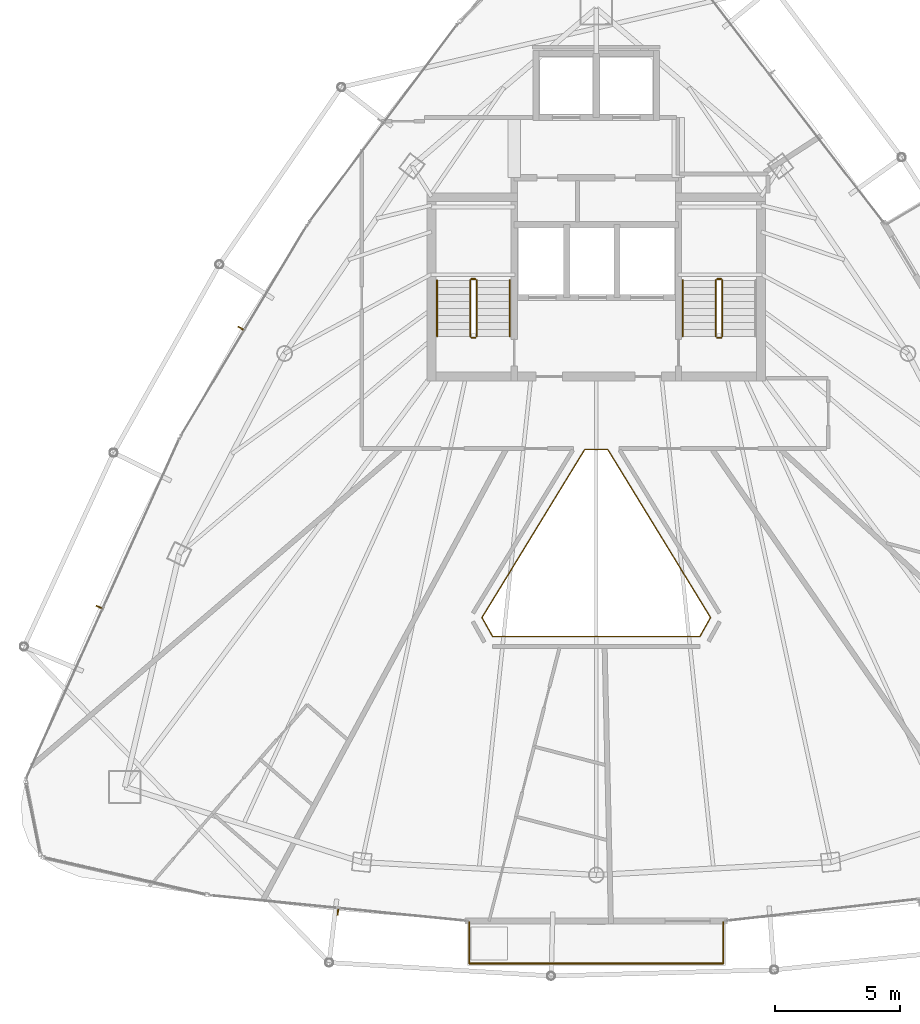
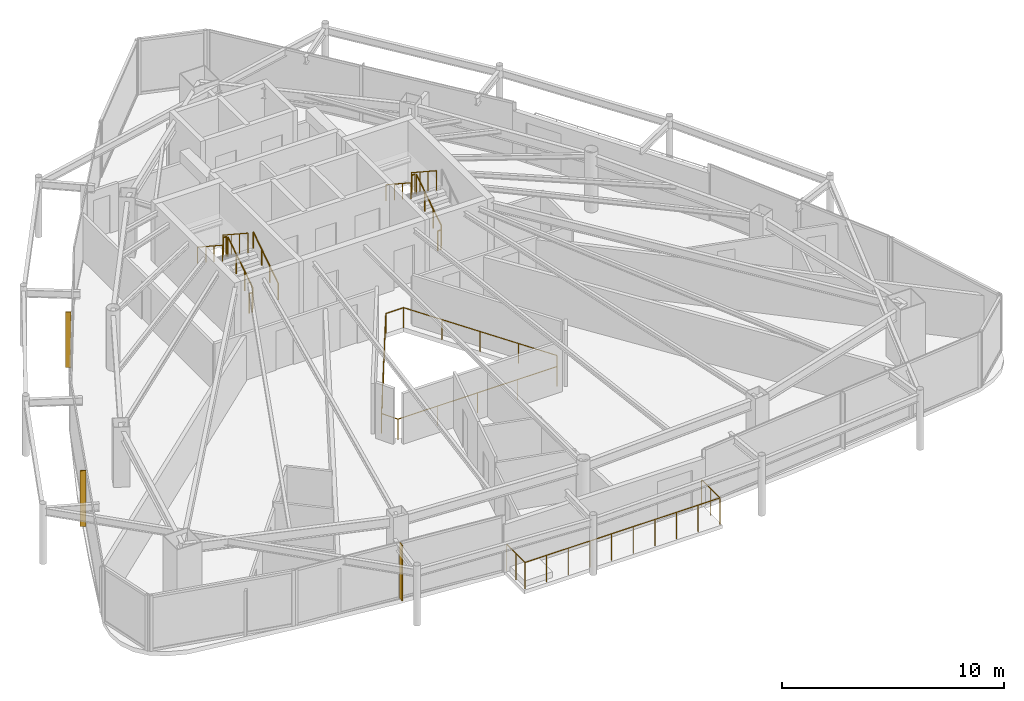
# One storey, part 28 of 30: 13 railings, 3 shading devices.
"""IFC4 building model written with IfcOpenShell, lengths in metres."""

from ifc_helpers import new_model, si_unit, direction, frame, origin, origin_2d, place, context, subcontext, project, spatial, rectangle, circle, extrude, material, layer, layer_set, type_object, element, save


model = new_model("IFC4")

# Units and contexts
model_context = context("Model", 3, precision=1e-05, world=origin(), true_north=direction((0.0, 1.0)))
body_context = subcontext(model_context, "Body", "Model", "MODEL_VIEW")
ifc_project = project(units=[si_unit("LENGTHUNIT", "METRE"), si_unit("AREAUNIT", "SQUARE_METRE"), si_unit("VOLUMEUNIT", "CUBIC_METRE"), si_unit("PLANEANGLEUNIT", "RADIAN"), si_unit("MASSUNIT", "GRAM", prefix="KILO")], contexts=[model_context])

# Site, building, storey
site_placement = place(None, origin())
site = spatial("IfcSite", under=ifc_project, at=site_placement, CompositionType="ELEMENT")
building_placement = place(site_placement, origin())
building = spatial("IfcBuilding", under=site, at=building_placement, Name="Orvanel Arch Residences", CompositionType="ELEMENT")
storey_placement = place(building_placement, frame((0.0, 0.0, 229.39990234375)))
storey = spatial("IfcBuildingStorey", under=building, at=storey_placement, Name="L65", CompositionType="ELEMENT", Elevation=229.39990234375)

# Shading devices
ifc_material_1 = material(Name="Bronze-anodised aluminium AA6063-T6", Category="aluminium")
ifc_layer = layer(ifc_material_1, 0.050048828125)
ifc_layer_set = layer_set([ifc_layer], Name="Bronze-anodised aluminium AA6063-T6")
shading_device_type = type_object("IfcShadingDeviceType", Name="FIN-BRZ-260", PredefinedType="USERDEFINED", material=ifc_layer_set)
for number, where, z_axis, x_axis, name in (
    (1, (18.825927734375, 28.64794921875, 0.0), (0.0, 0.0, 1.0), (-0.857167300702, 0.51503807491, 0.0), "L65 Anodised Bronze Mullion FIN 01"),
    (2, (13.176025390625, 17.531005859375, 0.0), (0.0, 0.0, 1.0), (-0.911403276635, 0.411514358605, 0.0), "L65 Anodised Bronze Mullion FIN 01"),
    (3, (22.696044921875, 5.368896484375, 0.0), (0.0, 0.0, 1.0), (-0.099319749744, -0.995055569961, 0.0), "L65 Anodised Bronze Mullion FIN 01"),
):
    element("IfcShadingDevice", number, at=place(storey_placement, frame(where, z_axis=z_axis, x_axis=x_axis)), inside=storey, type_object=shading_device_type, Name=name, ObjectType="FIN", PredefinedType="USERDEFINED", context=body_context, shape_type="SweptSolid", body=[
        extrude(rectangle(XDim=0.260009765625, YDim=0.050048828125, at=origin_2d()), origin(), (0.0, 0.0, 1.0), 3.06005859375),
    ])

# Railings
railing_type_1 = type_object("IfcRailingType", Name="RL-ATR-1120", PredefinedType="BALUSTRADE", material=ifc_material_1)
railing_1_placement = place(storey_placement, frame((33.4619140625, 23.806884765625, 0.0)))
element("IfcRailing", 4, at=railing_1_placement, inside=storey, type_object=railing_type_1, Name="L65 Atrium Void Protective Balustrade", PredefinedType="BALUSTRADE", context=body_context, shape_type="SweptSolid", body=[
    extrude(circle(Radius=0.02392578125, at=origin_2d()), frame((-0.00146484375, 0.0, 1.09619140625), z_axis=(-1.0, 0.0, 0.0), x_axis=(0.0, -1.0, 0.0)), (0.0, 0.0, 1.0), 0.9208984375),
    extrude(circle(Radius=0.02392578125, at=origin_2d()), frame((-0.924560546875, -0.001220703125, 1.09619140625), z_axis=(-0.521590916093, -0.853195708058, 0.0), x_axis=(0.853195708058, -0.521590916093, 0.0)), (0.0, 0.0, 1.0), 7.845947265625),
    extrude(circle(Radius=0.02392578125, at=origin_2d()), frame((-5.01708984375, -6.697998046875, 1.09619140625), z_axis=(0.489444491674, -0.872034454348, 0.0), x_axis=(0.872034454348, 0.489444491674, 0.0)), (0.0, 0.0, 1.0), 0.863037109375),
    extrude(circle(Radius=0.02392578125, at=origin_2d()), frame((-4.592529296875, -7.451904296875, 1.09619140625), z_axis=(1.0, 0.0, 0.0), x_axis=(0.0, 1.0, 0.0)), (0.0, 0.0, 1.0), 8.26123046875),
    extrude(circle(Radius=0.02392578125, at=origin_2d()), frame((3.6708984375, -7.45068359375, 1.09619140625), z_axis=(0.489444491674, 0.872034454348, 0.0), x_axis=(-0.872034454348, 0.489444491674, 0.0)), (0.0, 0.0, 1.0), 0.863037109375),
    extrude(circle(Radius=0.02392578125, at=origin_2d()), frame((4.09326171875, -6.695556640625, 1.09619140625), z_axis=(-0.521590916093, 0.853195708058, 0.0), x_axis=(-0.853195708058, -0.521590916093, 0.0)), (0.0, 0.0, 1.0), 7.845947265625),
    extrude(circle(Radius=0.02099609375, at=origin_2d()), origin(), (0.0, 0.0, 1.0), 1.070068359375),
    extrude(circle(Radius=0.02099609375, at=origin_2d()), frame((-0.923828125, 0.0, 0.0)), (0.0, 0.0, 1.0), 1.070068359375),
    extrude(circle(Radius=0.02099609375, at=origin_2d()), frame((-1.947265625, -1.67431640625, 0.0)), (0.0, 0.0, 1.0), 1.070068359375),
    extrude(circle(Radius=0.02099609375, at=origin_2d()), frame((-2.970703125, -3.348388671875, 0.0)), (0.0, 0.0, 1.0), 1.070068359375),
    extrude(circle(Radius=0.02099609375, at=origin_2d()), frame((-3.994384765625, -5.0224609375, 0.0)), (0.0, 0.0, 1.0), 1.070068359375),
    extrude(circle(Radius=0.02099609375, at=origin_2d()), frame((-5.017822265625, -6.69677734375, 0.0)), (0.0, 0.0, 1.0), 1.070068359375),
    extrude(circle(Radius=0.02099609375, at=origin_2d()), frame((-4.593994140625, -7.451904296875, 0.0)), (0.0, 0.0, 1.0), 1.070068359375),
    extrude(circle(Radius=0.02099609375, at=origin_2d()), frame((-2.52783203125, -7.451904296875, 0.0)), (0.0, 0.0, 1.0), 1.070068359375),
    extrude(circle(Radius=0.02099609375, at=origin_2d()), frame((-0.4619140625, -7.451904296875, 0.0)), (0.0, 0.0, 1.0), 1.070068359375),
    extrude(circle(Radius=0.02099609375, at=origin_2d()), frame((1.60400390625, -7.451904296875, 0.0)), (0.0, 0.0, 1.0), 1.070068359375),
    extrude(circle(Radius=0.02099609375, at=origin_2d()), frame((3.670166015625, -7.451904296875, 0.0)), (0.0, 0.0, 1.0), 1.070068359375),
    extrude(circle(Radius=0.02099609375, at=origin_2d()), frame((4.093994140625, -6.69677734375, 0.0)), (0.0, 0.0, 1.0), 1.070068359375),
    extrude(circle(Radius=0.02099609375, at=origin_2d()), frame((3.070556640625, -5.0224609375, 0.0)), (0.0, 0.0, 1.0), 1.070068359375),
    extrude(circle(Radius=0.02099609375, at=origin_2d()), frame((2.046875, -3.348388671875, 0.0)), (0.0, 0.0, 1.0), 1.070068359375),
    extrude(circle(Radius=0.02099609375, at=origin_2d()), frame((1.0234375, -1.67431640625, 0.0)), (0.0, 0.0, 1.0), 1.070068359375),
])
railing_type_2 = type_object("IfcRailingType", Name="RL-BAL-1480", PredefinedType="BALUSTRADE", material=ifc_material_1)
railing_2_placement = place(storey_placement, frame((27.93603515625, 4.950927734375, 0.0)))
element("IfcRailing", 5, at=railing_2_placement, inside=storey, type_object=railing_type_2, Name="L65 Balcony Perimeter Guardrail Face 2", PredefinedType="BALUSTRADE", context=body_context, shape_type="SweptSolid", body=[
    extrude(circle(Radius=0.02392578125, at=origin_2d()), frame((0.0, -0.00146484375, 1.4560546875), z_axis=(0.0, -1.0, 0.0), x_axis=(1.0, 0.0, 0.0)), (0.0, 0.0, 1.0), 1.636962890625),
    extrude(circle(Radius=0.02392578125, at=origin_2d()), frame((0.00146484375, -1.639892578125, 1.4560546875), z_axis=(1.0, 0.0, 0.0), x_axis=(0.0, 1.0, 0.0)), (0.0, 0.0, 1.0), 10.125),
    extrude(circle(Radius=0.02392578125, at=origin_2d()), frame((10.1279296875, -1.638427734375, 1.4560546875), z_axis=(0.0, 1.0, 0.0), x_axis=(-1.0, 0.0, 0.0)), (0.0, 0.0, 1.0), 1.636962890625),
    extrude(circle(Radius=0.02099609375, at=origin_2d()), origin(), (0.0, 0.0, 1.0), 1.429931640625),
    extrude(circle(Radius=0.02099609375, at=origin_2d()), frame((0.0, -0.81982421875, 0.0)), (0.0, 0.0, 1.0), 1.429931640625),
    extrude(circle(Radius=0.02099609375, at=origin_2d()), frame((0.0, -1.639892578125, 0.0)), (0.0, 0.0, 1.0), 1.429931640625),
    extrude(circle(Radius=0.02099609375, at=origin_2d()), frame((1.125244140625, -1.639892578125, 0.0)), (0.0, 0.0, 1.0), 1.429931640625),
    extrude(circle(Radius=0.02099609375, at=origin_2d()), frame((2.250732421875, -1.639892578125, 0.0)), (0.0, 0.0, 1.0), 1.429931640625),
    extrude(circle(Radius=0.02099609375, at=origin_2d()), frame((3.3759765625, -1.639892578125, 0.0)), (0.0, 0.0, 1.0), 1.429931640625),
    extrude(circle(Radius=0.02099609375, at=origin_2d()), frame((4.501220703125, -1.639892578125, 0.0)), (0.0, 0.0, 1.0), 1.429931640625),
    extrude(circle(Radius=0.02099609375, at=origin_2d()), frame((5.626708984375, -1.639892578125, 0.0)), (0.0, 0.0, 1.0), 1.429931640625),
    extrude(circle(Radius=0.02099609375, at=origin_2d()), frame((6.751953125, -1.639892578125, 0.0)), (0.0, 0.0, 1.0), 1.429931640625),
    extrude(circle(Radius=0.02099609375, at=origin_2d()), frame((7.877197265625, -1.639892578125, 0.0)), (0.0, 0.0, 1.0), 1.429931640625),
    extrude(circle(Radius=0.02099609375, at=origin_2d()), frame((9.002685546875, -1.639892578125, 0.0)), (0.0, 0.0, 1.0), 1.429931640625),
    extrude(circle(Radius=0.02099609375, at=origin_2d()), frame((10.1279296875, -1.639892578125, 0.0)), (0.0, 0.0, 1.0), 1.429931640625),
    extrude(circle(Radius=0.02099609375, at=origin_2d()), frame((10.1279296875, -0.81982421875, 0.0)), (0.0, 0.0, 1.0), 1.429931640625),
    extrude(circle(Radius=0.02099609375, at=origin_2d()), frame((10.1279296875, 0.0, 0.0)), (0.0, 0.0, 1.0), 1.429931640625),
])
ifc_material_2 = material(Name="Structural steel AS/NZS 1163 C350L0 (Grade 350)", Category="steel")
railing_type_3 = type_object("IfcRailingType", Name="RL-STAIR-GUARD", PredefinedType="GUARDRAIL", material=ifc_material_2)
railing_3_placement = place(storey_placement, frame((28.22998046875, 28.320068359375, 0.183349609375)))
element("IfcRailing", 6, at=railing_3_placement, inside=storey, type_object=railing_type_3, Name="L65 ST-1 stair guard 1", PredefinedType="GUARDRAIL", context=body_context, shape_type="SweptSolid", body=[
    extrude(circle(Radius=0.02392578125, at=origin_2d()), frame((0.0, 0.001220703125, 1.076904296875), z_axis=(0.0, 0.836595146698, 0.547821650285), x_axis=(-1.0, 0.0, 0.0)), (0.0, 0.0, 1.0), 2.674560546875),
    extrude(circle(Radius=0.02099609375, at=origin_2d()), origin(), (0.0, 0.0, 1.0), 1.050048828125),
    extrude(circle(Radius=0.02099609375, at=origin_2d()), frame((0.0, 0.74658203125, 0.489013671875)), (0.0, 0.0, 1.0), 1.050048828125),
    extrude(circle(Radius=0.02099609375, at=origin_2d()), frame((0.0, 1.493408203125, 0.977783203125)), (0.0, 0.0, 1.0), 1.050048828125),
    extrude(circle(Radius=0.02099609375, at=origin_2d()), frame((0.0, 2.239990234375, 1.466796875)), (0.0, 0.0, 1.0), 1.050048828125),
])
railing_4_placement = place(storey_placement, frame((28.179931640625, 30.610107421875, 1.650146484375)))
element("IfcRailing", 7, at=railing_4_placement, inside=storey, type_object=railing_type_3, Name="L65 ST-1 stair guard 2", PredefinedType="GUARDRAIL", context=body_context, shape_type="SweptSolid", body=[
    extrude(circle(Radius=0.02392578125, at=origin_2d()), frame((-0.00146484375, 0.0, 1.076171875), z_axis=(-1.0, 0.0, 0.0), x_axis=(0.0, -1.0, 0.0)), (0.0, 0.0, 1.0), 0.156982421875),
    extrude(circle(Radius=0.02099609375, at=origin_2d()), origin(), (0.0, 0.0, 1.0), 1.050048828125),
    extrude(circle(Radius=0.02099609375, at=origin_2d()), frame((-0.159912109375, 0.0, 0.0)), (0.0, 0.0, 1.0), 1.050048828125),
])
railing_5_placement = place(storey_placement, frame((27.969970703125, 30.56005859375, 1.83349609375)))
element("IfcRailing", 8, at=railing_5_placement, inside=storey, type_object=railing_type_3, Name="L65 ST-1 stair guard 3", PredefinedType="GUARDRAIL", context=body_context, shape_type="SweptSolid", body=[
    extrude(circle(Radius=0.02392578125, at=origin_2d()), frame((0.0, -0.001220703125, 1.076904296875), z_axis=(0.0, -0.836636935527, 0.547757827979), x_axis=(1.0, 0.0, 0.0)), (0.0, 0.0, 1.0), 2.67431640625),
    extrude(circle(Radius=0.02099609375, at=origin_2d()), origin(), (0.0, 0.0, 1.0), 1.050048828125),
    extrude(circle(Radius=0.02099609375, at=origin_2d()), frame((0.0, -0.74658203125, 0.48876953125)), (0.0, 0.0, 1.0), 1.050048828125),
    extrude(circle(Radius=0.02099609375, at=origin_2d()), frame((0.0, -1.493408203125, 0.977783203125)), (0.0, 0.0, 1.0), 1.050048828125),
    extrude(circle(Radius=0.02099609375, at=origin_2d()), frame((0.0, -2.239990234375, 1.466552734375)), (0.0, 0.0, 1.0), 1.050048828125),
])
railing_6_placement = place(storey_placement, frame((28.179931640625, 28.27001953125, 0.0)))
element("IfcRailing", 9, at=railing_6_placement, inside=storey, type_object=railing_type_3, Name="L65 ST-1 stair guard 4", PredefinedType="GUARDRAIL", context=body_context, shape_type="SweptSolid", body=[
    extrude(circle(Radius=0.02392578125, at=origin_2d()), frame((-0.00146484375, 0.0, 1.076171875), z_axis=(-1.0, 0.0, 0.0), x_axis=(0.0, -1.0, 0.0)), (0.0, 0.0, 1.0), 0.156982421875),
    extrude(circle(Radius=0.02099609375, at=origin_2d()), origin(), (0.0, 0.0, 1.0), 1.050048828125),
    extrude(circle(Radius=0.02099609375, at=origin_2d()), frame((-0.159912109375, 0.0, 0.0)), (0.0, 0.0, 1.0), 1.050048828125),
])
railing_7_placement = place(storey_placement, frame((38.030029296875, 28.320068359375, 0.183349609375)))
element("IfcRailing", 10, at=railing_7_placement, inside=storey, type_object=railing_type_3, Name="L65 ST-2 stair guard 1", PredefinedType="GUARDRAIL", context=body_context, shape_type="SweptSolid", body=[
    extrude(circle(Radius=0.02392578125, at=origin_2d()), frame((0.0, 0.001220703125, 1.076904296875), z_axis=(0.0, 0.836595146698, 0.547821650285), x_axis=(-1.0, 0.0, 0.0)), (0.0, 0.0, 1.0), 2.674560546875),
    extrude(circle(Radius=0.02099609375, at=origin_2d()), origin(), (0.0, 0.0, 1.0), 1.050048828125),
    extrude(circle(Radius=0.02099609375, at=origin_2d()), frame((0.0, 0.74658203125, 0.489013671875)), (0.0, 0.0, 1.0), 1.050048828125),
    extrude(circle(Radius=0.02099609375, at=origin_2d()), frame((0.0, 1.493408203125, 0.977783203125)), (0.0, 0.0, 1.0), 1.050048828125),
    extrude(circle(Radius=0.02099609375, at=origin_2d()), frame((0.0, 2.239990234375, 1.466796875)), (0.0, 0.0, 1.0), 1.050048828125),
])
railing_8_placement = place(storey_placement, frame((37.97998046875, 30.610107421875, 1.650146484375)))
element("IfcRailing", 11, at=railing_8_placement, inside=storey, type_object=railing_type_3, Name="L65 ST-2 stair guard 2", PredefinedType="GUARDRAIL", context=body_context, shape_type="SweptSolid", body=[
    extrude(circle(Radius=0.02392578125, at=origin_2d()), frame((-0.00146484375, 0.0, 1.076171875), z_axis=(-1.0, 0.0, 0.0), x_axis=(0.0, -1.0, 0.0)), (0.0, 0.0, 1.0), 0.156982421875),
    extrude(circle(Radius=0.02099609375, at=origin_2d()), origin(), (0.0, 0.0, 1.0), 1.050048828125),
    extrude(circle(Radius=0.02099609375, at=origin_2d()), frame((-0.159912109375, 0.0, 0.0)), (0.0, 0.0, 1.0), 1.050048828125),
])
railing_9_placement = place(storey_placement, frame((37.77001953125, 30.56005859375, 1.83349609375)))
element("IfcRailing", 12, at=railing_9_placement, inside=storey, type_object=railing_type_3, Name="L65 ST-2 stair guard 3", PredefinedType="GUARDRAIL", context=body_context, shape_type="SweptSolid", body=[
    extrude(circle(Radius=0.02392578125, at=origin_2d()), frame((0.0, -0.001220703125, 1.076904296875), z_axis=(0.0, -0.836636935527, 0.547757827979), x_axis=(1.0, 0.0, 0.0)), (0.0, 0.0, 1.0), 2.67431640625),
    extrude(circle(Radius=0.02099609375, at=origin_2d()), origin(), (0.0, 0.0, 1.0), 1.050048828125),
    extrude(circle(Radius=0.02099609375, at=origin_2d()), frame((0.0, -0.74658203125, 0.48876953125)), (0.0, 0.0, 1.0), 1.050048828125),
    extrude(circle(Radius=0.02099609375, at=origin_2d()), frame((0.0, -1.493408203125, 0.977783203125)), (0.0, 0.0, 1.0), 1.050048828125),
    extrude(circle(Radius=0.02099609375, at=origin_2d()), frame((0.0, -2.239990234375, 1.466552734375)), (0.0, 0.0, 1.0), 1.050048828125),
])
railing_10_placement = place(storey_placement, frame((37.97998046875, 28.27001953125, 0.0)))
element("IfcRailing", 13, at=railing_10_placement, inside=storey, type_object=railing_type_3, Name="L65 ST-2 stair guard 4", PredefinedType="GUARDRAIL", context=body_context, shape_type="SweptSolid", body=[
    extrude(circle(Radius=0.02392578125, at=origin_2d()), frame((-0.00146484375, 0.0, 1.076171875), z_axis=(-1.0, 0.0, 0.0), x_axis=(0.0, -1.0, 0.0)), (0.0, 0.0, 1.0), 0.156982421875),
    extrude(circle(Radius=0.02099609375, at=origin_2d()), origin(), (0.0, 0.0, 1.0), 1.050048828125),
    extrude(circle(Radius=0.02099609375, at=origin_2d()), frame((-0.159912109375, 0.0, 0.0)), (0.0, 0.0, 1.0), 1.050048828125),
])
railing_type_4 = type_object("IfcRailingType", Name="RL-STAIR-HAND", PredefinedType="HANDRAIL", material=ifc_material_2)
railing_11_placement = place(storey_placement, frame((29.550048828125, 28.320068359375, 0.183349609375)))
element("IfcRailing", 14, at=railing_11_placement, inside=storey, type_object=railing_type_4, Name="L65 ST-1 stair handrail 1", PredefinedType="HANDRAIL", context=body_context, shape_type="SweptSolid", body=[
    extrude(circle(Radius=0.02392578125, at=origin_2d()), frame((0.0, 0.001220703125, 0.876708984375), z_axis=(0.0, 0.836595146698, 0.547821650285), x_axis=(-1.0, 0.0, 0.0)), (0.0, 0.0, 1.0), 2.674560546875),
    extrude(circle(Radius=0.02099609375, at=origin_2d()), origin(), (0.0, 0.0, 1.0), 0.849853515625),
    extrude(circle(Radius=0.02099609375, at=origin_2d()), frame((0.0, 0.74658203125, 0.489013671875)), (0.0, 0.0, 1.0), 0.849853515625),
    extrude(circle(Radius=0.02099609375, at=origin_2d()), frame((0.0, 1.493408203125, 0.977783203125)), (0.0, 0.0, 1.0), 0.849853515625),
    extrude(circle(Radius=0.02099609375, at=origin_2d()), frame((0.0, 2.239990234375, 1.466796875)), (0.0, 0.0, 1.0), 0.849853515625),
])
for number, where, name in (
    (15, (26.64990234375, 30.56005859375, 1.83349609375), "L65 ST-1 stair handrail 2"),
    (16, (36.449951171875, 30.56005859375, 1.83349609375), "L65 ST-2 stair handrail 2"),
):
    element("IfcRailing", number, at=place(storey_placement, frame(where)), inside=storey, type_object=railing_type_4, Name=name, PredefinedType="HANDRAIL", context=body_context, shape_type="SweptSolid", body=[
        extrude(circle(Radius=0.02392578125, at=origin_2d()), frame((0.0, -0.001220703125, 0.876708984375), z_axis=(0.0, -0.836636935527, 0.547757827979), x_axis=(1.0, 0.0, 0.0)), (0.0, 0.0, 1.0), 2.67431640625),
        extrude(circle(Radius=0.02099609375, at=origin_2d()), origin(), (0.0, 0.0, 1.0), 0.849853515625),
        extrude(circle(Radius=0.02099609375, at=origin_2d()), frame((0.0, -0.74658203125, 0.48876953125)), (0.0, 0.0, 1.0), 0.849853515625),
        extrude(circle(Radius=0.02099609375, at=origin_2d()), frame((0.0, -1.493408203125, 0.977783203125)), (0.0, 0.0, 1.0), 0.849853515625),
        extrude(circle(Radius=0.02099609375, at=origin_2d()), frame((0.0, -2.239990234375, 1.466552734375)), (0.0, 0.0, 1.0), 0.849853515625),
    ])

save(model, "model.ifc")
